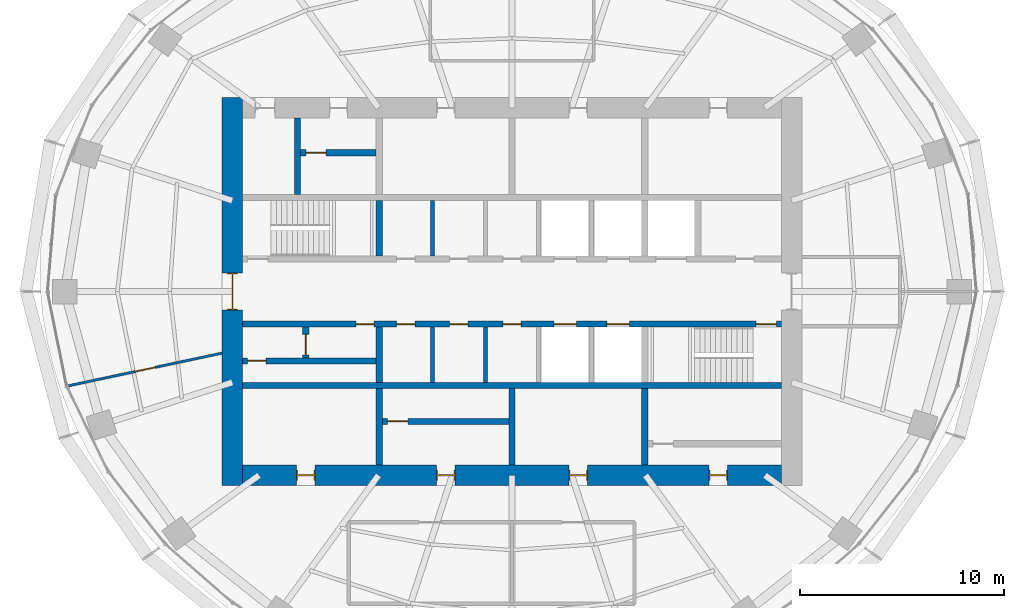
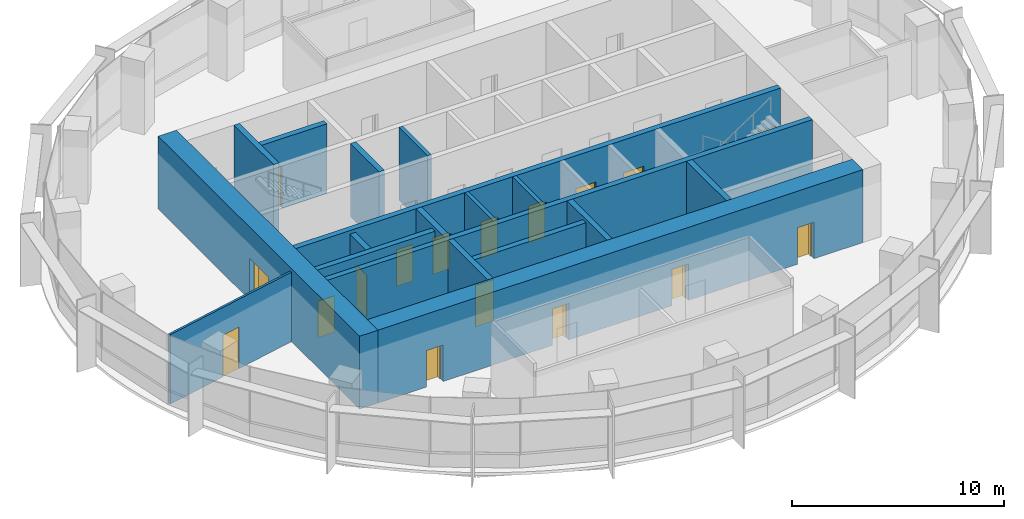
# One storey, part 9 of 13: 18 walls, 17 doors, 17 openings.
"""IFC4 building model written with IfcOpenShell, lengths in metres."""

from ifc_helpers import new_model, si_unit, direction, frame, frame_2d, origin, place, context, subcontext, project, spatial, rectangle, extrude, material, layer, layer_set, type_object, element, fill, save


model = new_model("IFC4")

# Units and contexts
model_context = context("Model", 3, precision=1e-05, world=origin(), true_north=direction((0.0, 1.0)))
body_context = subcontext(model_context, "Body", "Model", "MODEL_VIEW")
ifc_project = project(units=[si_unit("LENGTHUNIT", "METRE"), si_unit("AREAUNIT", "SQUARE_METRE"), si_unit("VOLUMEUNIT", "CUBIC_METRE"), si_unit("PLANEANGLEUNIT", "RADIAN"), si_unit("MASSUNIT", "GRAM", prefix="KILO")], contexts=[model_context])

# Site, building, storey
site_placement = place(None, origin())
site = spatial("IfcSite", under=ifc_project, at=site_placement, CompositionType="ELEMENT")
building_placement = place(site_placement, origin())
building = spatial("IfcBuilding", under=site, at=building_placement, Name="Marramba Exchange Tower", CompositionType="ELEMENT")
storey_placement = place(building_placement, frame((0.0, 0.0, 272.800048828125)))
storey = spatial("IfcBuildingStorey", under=building, at=storey_placement, Name="L66", CompositionType="ELEMENT", Elevation=272.800048828125)

# Walls
ifc_material_1 = material(Name="Concrete N50", Category="concrete")
ifc_layer_1 = layer(ifc_material_1, 0.199951171875)
ifc_layer_set_1 = layer_set([ifc_layer_1], Name="Core shaft wall 200")
wall_type_1 = type_object("IfcWallType", Name="Core shaft wall 200", PredefinedType="SHEAR", material=ifc_layer_set_1)
for number, where, z_axis, x_axis, name in (
    (1, (-3.89990234375, 1.75, 0.0), (0.0, 0.0, 1.0), (0.0, 1.0, 0.0), "Core wall SHN1 L66"),
    (2, (-3.89990234375, -1.75, 0.0), (0.0, 0.0, 1.0), (0.0, -1.0, 0.0), "Core wall SHS1 L66"),
    (3, (-1.300048828125, -1.75, 0.0), (0.0, 0.0, 1.0), (0.0, -1.0, 0.0), "Core wall SHS2 L66"),
):
    element("IfcWall", number, at=place(storey_placement, frame(where, z_axis=z_axis, x_axis=x_axis)), inside=storey, type_object=wall_type_1, Name=name, PredefinedType="SHEAR", context=body_context, shape_type="SweptSolid", body=[
        extrude(rectangle(XDim=2.699951171875, YDim=0.199951171875, at=frame_2d((1.35009765625, 0.0))), origin(), (0.0, 0.0, 1.0), 4.199951171875),
    ])

# Wall, openings, doors
ifc_layer_2 = layer(ifc_material_1, 1.0)
ifc_layer_set_2 = layer_set([ifc_layer_2], Name="Core wall 1000")
wall_type_2 = type_object("IfcWallType", Name="Core wall 1000", PredefinedType="SHEAR", material=ifc_layer_set_2)
wall_1_placement = place(storey_placement, frame((-13.199951171875, -9.0, 0.0), z_axis=(0.0, 0.0, 1.0), x_axis=(1.0, 0.0, 0.0)))
wall_1 = element("IfcWall", 4, at=wall_1_placement, inside=storey, type_object=wall_type_2, Name="Core wall S L66", PredefinedType="SHEAR", context=body_context, shape_type="SweptSolid", body=[
    extrude(rectangle(XDim=26.39990234375, YDim=1.0, at=frame_2d((13.199951171875, 0.0))), origin(), (0.0, 0.0, 1.0), 4.199951171875),
])
opening_1_placement = place(wall_1_placement, frame((2.64990234375, 0.0, 0.0)))
opening_1 = element("IfcOpeningElement", 5, at=opening_1_placement, cuts=wall_1, Name="Opening D5", PredefinedType="OPENING", context=body_context, shape_type="SweptSolid", body=[
    extrude(rectangle(XDim=0.89990234375, YDim=2.10009765625, at=frame_2d((0.449951171875, 1.050048828125))), frame((0.0, 0.510009765625, 0.0), z_axis=(0.0, -1.0, 0.0), x_axis=(1.0, 0.0, 0.0)), (0.0, 0.0, 1.0), 1.02001953125),
])
opening_2_placement = place(wall_1_placement, frame((9.5, 0.0, 0.0)))
opening_2 = element("IfcOpeningElement", 6, at=opening_2_placement, cuts=wall_1, Name="Opening D5", PredefinedType="OPENING", context=body_context, shape_type="SweptSolid", body=[
    extrude(rectangle(XDim=0.89990234375, YDim=2.10009765625, at=frame_2d((0.449951171875, 1.050048828125))), frame((0.0, 0.510009765625, 0.0), z_axis=(0.0, -1.0, 0.0), x_axis=(1.0, 0.0, 0.0)), (0.0, 0.0, 1.0), 1.02001953125),
])
opening_3_placement = place(wall_1_placement, frame((16.0, 0.0, 0.0)))
opening_3 = element("IfcOpeningElement", 7, at=opening_3_placement, cuts=wall_1, Name="Opening D5", PredefinedType="OPENING", context=body_context, shape_type="SweptSolid", body=[
    extrude(rectangle(XDim=0.89990234375, YDim=2.10009765625, at=frame_2d((0.449951171875, 1.050048828125))), frame((0.0, 0.510009765625, 0.0), z_axis=(0.0, -1.0, 0.0), x_axis=(1.0, 0.0, 0.0)), (0.0, 0.0, 1.0), 1.02001953125),
])
opening_4_placement = place(wall_1_placement, frame((22.85009765625, 0.0, 0.0)))
opening_4 = element("IfcOpeningElement", 8, at=opening_4_placement, cuts=wall_1, Name="Opening D5", PredefinedType="OPENING", context=body_context, shape_type="SweptSolid", body=[
    extrude(rectangle(XDim=0.89990234375, YDim=2.10009765625, at=frame_2d((0.449951171875, 1.050048828125))), frame((0.0, 0.510009765625, 0.0), z_axis=(0.0, -1.0, 0.0), x_axis=(1.0, 0.0, 0.0)), (0.0, 0.0, 1.0), 1.02001953125),
])
ifc_material_2 = material(Name="Steel-framed door", Category="steel")
door_type_1 = type_object("IfcDoorType", Name="Service door 900x2100", OperationType="SINGLE_SWING_LEFT", PredefinedType="DOOR", material=ifc_material_2)
door_1_placement = place(opening_1_placement, origin())
door_1 = element("IfcDoor", 9, at=door_1_placement, inside=storey, type_object=door_type_1, Name="D5 ahu L66", OperationType="SINGLE_SWING_LEFT", OverallHeight=2.10009765625, OverallWidth=0.89990234375, PredefinedType="DOOR", context=body_context, shape_type="SweptSolid", body=[
    extrude(rectangle(XDim=0.81982421875, YDim=2.06005859375, at=frame_2d((0.449951171875, 1.030029296875))), frame((0.0, 0.02490234375, 0.0), z_axis=(0.0, -1.0, 0.0), x_axis=(1.0, 0.0, 0.0)), (0.0, 0.0, 1.0), 0.050048828125),
    extrude(rectangle(XDim=0.04, YDim=2.10009765625, at=frame_2d((0.02001953125, 1.050048828125))), frame((0.0, 0.25, 0.0), z_axis=(0.0, -1.0, 0.0), x_axis=(1.0, 0.0, 0.0)), (0.0, 0.0, 1.0), 0.5),
    extrude(rectangle(XDim=0.04, YDim=2.10009765625, at=frame_2d((0.8798828125, 1.050048828125))), frame((0.0, 0.25, 0.0), z_axis=(0.0, -1.0, 0.0), x_axis=(1.0, 0.0, 0.0)), (0.0, 0.0, 1.0), 0.5),
    extrude(rectangle(XDim=0.81982421875, YDim=0.04, at=frame_2d((0.449951171875, 2.080078125))), frame((0.0, 0.25, 0.0), z_axis=(0.0, -1.0, 0.0), x_axis=(1.0, 0.0, 0.0)), (0.0, 0.0, 1.0), 0.5),
])
fill(opening_1, door_1)
door_2_placement = place(opening_2_placement, origin())
door_2 = element("IfcDoor", 10, at=door_2_placement, inside=storey, type_object=door_type_1, Name="D5 store L66", OperationType="SINGLE_SWING_RIGHT", OverallHeight=2.10009765625, OverallWidth=0.89990234375, PredefinedType="DOOR", context=body_context, shape_type="SweptSolid", body=[
    extrude(rectangle(XDim=0.81982421875, YDim=2.06005859375, at=frame_2d((0.449951171875, 1.030029296875))), frame((0.0, 0.02490234375, 0.0), z_axis=(0.0, -1.0, 0.0), x_axis=(1.0, 0.0, 0.0)), (0.0, 0.0, 1.0), 0.050048828125),
    extrude(rectangle(XDim=0.04, YDim=2.10009765625, at=frame_2d((0.02001953125, 1.050048828125))), frame((0.0, 0.25, 0.0), z_axis=(0.0, -1.0, 0.0), x_axis=(1.0, 0.0, 0.0)), (0.0, 0.0, 1.0), 0.5),
    extrude(rectangle(XDim=0.04, YDim=2.10009765625, at=frame_2d((0.8798828125, 1.050048828125))), frame((0.0, 0.25, 0.0), z_axis=(0.0, -1.0, 0.0), x_axis=(1.0, 0.0, 0.0)), (0.0, 0.0, 1.0), 0.5),
    extrude(rectangle(XDim=0.81982421875, YDim=0.04, at=frame_2d((0.449951171875, 2.080078125))), frame((0.0, 0.25, 0.0), z_axis=(0.0, -1.0, 0.0), x_axis=(1.0, 0.0, 0.0)), (0.0, 0.0, 1.0), 0.5),
])
fill(opening_2, door_2)
door_3_placement = place(opening_3_placement, origin())
door_3 = element("IfcDoor", 11, at=door_3_placement, inside=storey, type_object=door_type_1, Name="D5 switch L66", OperationType="SINGLE_SWING_RIGHT", OverallHeight=2.10009765625, OverallWidth=0.89990234375, PredefinedType="DOOR", context=body_context, shape_type="SweptSolid", body=[
    extrude(rectangle(XDim=0.81982421875, YDim=2.06005859375, at=frame_2d((0.449951171875, 1.030029296875))), frame((0.0, 0.02490234375, 0.0), z_axis=(0.0, -1.0, 0.0), x_axis=(1.0, 0.0, 0.0)), (0.0, 0.0, 1.0), 0.050048828125),
    extrude(rectangle(XDim=0.04, YDim=2.10009765625, at=frame_2d((0.02001953125, 1.050048828125))), frame((0.0, 0.25, 0.0), z_axis=(0.0, -1.0, 0.0), x_axis=(1.0, 0.0, 0.0)), (0.0, 0.0, 1.0), 0.5),
    extrude(rectangle(XDim=0.04, YDim=2.10009765625, at=frame_2d((0.8798828125, 1.050048828125))), frame((0.0, 0.25, 0.0), z_axis=(0.0, -1.0, 0.0), x_axis=(1.0, 0.0, 0.0)), (0.0, 0.0, 1.0), 0.5),
    extrude(rectangle(XDim=0.81982421875, YDim=0.04, at=frame_2d((0.449951171875, 2.080078125))), frame((0.0, 0.25, 0.0), z_axis=(0.0, -1.0, 0.0), x_axis=(1.0, 0.0, 0.0)), (0.0, 0.0, 1.0), 0.5),
])
fill(opening_3, door_3)
door_4_placement = place(opening_4_placement, origin())
door_4 = element("IfcDoor", 12, at=door_4_placement, inside=storey, type_object=door_type_1, Name="D5 cstore L66", OperationType="SINGLE_SWING_RIGHT", OverallHeight=2.10009765625, OverallWidth=0.89990234375, PredefinedType="DOOR", context=body_context, shape_type="SweptSolid", body=[
    extrude(rectangle(XDim=0.81982421875, YDim=2.06005859375, at=frame_2d((0.449951171875, 1.030029296875))), frame((0.0, 0.02490234375, 0.0), z_axis=(0.0, -1.0, 0.0), x_axis=(1.0, 0.0, 0.0)), (0.0, 0.0, 1.0), 0.050048828125),
    extrude(rectangle(XDim=0.04, YDim=2.10009765625, at=frame_2d((0.02001953125, 1.050048828125))), frame((0.0, 0.25, 0.0), z_axis=(0.0, -1.0, 0.0), x_axis=(1.0, 0.0, 0.0)), (0.0, 0.0, 1.0), 0.5),
    extrude(rectangle(XDim=0.04, YDim=2.10009765625, at=frame_2d((0.8798828125, 1.050048828125))), frame((0.0, 0.25, 0.0), z_axis=(0.0, -1.0, 0.0), x_axis=(1.0, 0.0, 0.0)), (0.0, 0.0, 1.0), 0.5),
    extrude(rectangle(XDim=0.81982421875, YDim=0.04, at=frame_2d((0.449951171875, 2.080078125))), frame((0.0, 0.25, 0.0), z_axis=(0.0, -1.0, 0.0), x_axis=(1.0, 0.0, 0.0)), (0.0, 0.0, 1.0), 0.5),
])
fill(opening_4, door_4)

# Wall, opening, door
wall_2_placement = place(storey_placement, frame((-13.699951171875, 9.5, 0.0), z_axis=(0.0, 0.0, 1.0), x_axis=(0.0, -1.0, 0.0)))
wall_2 = element("IfcWall", 13, at=wall_2_placement, inside=storey, type_object=wall_type_2, Name="Core wall W L66", PredefinedType="SHEAR", context=body_context, shape_type="SweptSolid", body=[
    extrude(rectangle(XDim=19.0, YDim=1.0, at=frame_2d((9.5, 0.0))), origin(), (0.0, 0.0, 1.0), 4.199951171875),
])
opening_5_placement = place(wall_2_placement, frame((8.60009765625, 0.0, 0.0)))
opening_5 = element("IfcOpeningElement", 14, at=opening_5_placement, cuts=wall_2, Name="Opening D1", PredefinedType="OPENING", context=body_context, shape_type="SweptSolid", body=[
    extrude(rectangle(XDim=1.800048828125, YDim=2.39990234375, at=frame_2d((0.89990234375, 1.199951171875))), frame((0.0, 0.510009765625, 0.0), z_axis=(0.0, -1.0, 0.0), x_axis=(1.0, 0.0, 0.0)), (0.0, 0.0, 1.0), 1.02001953125),
])
door_type_2 = type_object("IfcDoorType", Name="Lobby exit door 1800x2400", OperationType="DOUBLE_DOOR_SINGLE_SWING", PredefinedType="DOOR", material=ifc_material_2)
door_5_placement = place(opening_5_placement, origin())
door_5 = element("IfcDoor", 15, at=door_5_placement, inside=storey, type_object=door_type_2, Name="D1 lobby exit west L66", OperationType="DOUBLE_DOOR_SINGLE_SWING", OverallHeight=2.39990234375, OverallWidth=1.800048828125, PredefinedType="DOOR", context=body_context, shape_type="SweptSolid", body=[
    extrude(rectangle(XDim=1.719970703125, YDim=2.35986328125, at=frame_2d((0.89990234375, 1.179931640625))), frame((0.0, 0.02490234375, 0.0), z_axis=(0.0, -1.0, 0.0), x_axis=(1.0, 0.0, 0.0)), (0.0, 0.0, 1.0), 0.050048828125),
    extrude(rectangle(XDim=0.04, YDim=2.39990234375, at=frame_2d((0.02001953125, 1.199951171875))), frame((0.0, 0.25, 0.0), z_axis=(0.0, -1.0, 0.0), x_axis=(1.0, 0.0, 0.0)), (0.0, 0.0, 1.0), 0.5),
    extrude(rectangle(XDim=0.04, YDim=2.39990234375, at=frame_2d((1.780029296875, 1.199951171875))), frame((0.0, 0.25, 0.0), z_axis=(0.0, -1.0, 0.0), x_axis=(1.0, 0.0, 0.0)), (0.0, 0.0, 1.0), 0.5),
    extrude(rectangle(XDim=1.719970703125, YDim=0.04, at=frame_2d((0.89990234375, 2.3798828125))), frame((0.0, 0.25, 0.0), z_axis=(0.0, -1.0, 0.0), x_axis=(1.0, 0.0, 0.0)), (0.0, 0.0, 1.0), 0.5),
])
fill(opening_5, door_5)

# Wall, openings, doors
ifc_layer_3 = layer(ifc_material_1, 0.300048828125)
ifc_layer_set_3 = layer_set([ifc_layer_3], Name="Core wall 300")
wall_type_3 = type_object("IfcWallType", Name="Core wall 300", PredefinedType="SHEAR", material=ifc_layer_set_3)
wall_3_placement = place(storey_placement, frame((-13.199951171875, -1.60009765625, 0.0), z_axis=(0.0, 0.0, 1.0), x_axis=(1.0, 0.0, 0.0)))
wall_3 = element("IfcWall", 16, at=wall_3_placement, inside=storey, type_object=wall_type_3, Name="Core wall LS L66", PredefinedType="SHEAR", context=body_context, shape_type="SweptSolid", body=[
    extrude(rectangle(XDim=26.39990234375, YDim=0.300048828125, at=frame_2d((13.199951171875, 0.0))), origin(), (0.0, 0.0, 1.0), 4.199951171875),
])
opening_6_placement = place(wall_3_placement, frame((25.14990234375, 0.0, 0.0)))
opening_6 = element("IfcOpeningElement", 17, at=opening_6_placement, cuts=wall_3, Name="Opening D2", PredefinedType="OPENING", context=body_context, shape_type="SweptSolid", body=[
    extrude(rectangle(XDim=1.0, YDim=2.10009765625, at=frame_2d((0.5, 1.050048828125))), frame((0.0, 0.159912109375, 0.0), z_axis=(0.0, -1.0, 0.0), x_axis=(1.0, 0.0, 0.0)), (0.0, 0.0, 1.0), 0.320068359375),
])
opening_7_placement = place(wall_3_placement, frame((7.550048828125, 0.0, 0.0)))
opening_7 = element("IfcOpeningElement", 18, at=opening_7_placement, cuts=wall_3, Name="Opening D5", PredefinedType="OPENING", context=body_context, shape_type="SweptSolid", body=[
    extrude(rectangle(XDim=0.89990234375, YDim=2.10009765625, at=frame_2d((0.449951171875, 1.050048828125))), frame((0.0, 0.159912109375, 0.0), z_axis=(0.0, -1.0, 0.0), x_axis=(1.0, 0.0, 0.0)), (0.0, 0.0, 1.0), 0.320068359375),
])
opening_8_placement = place(wall_3_placement, frame((10.14990234375, 0.0, 0.0)))
opening_8 = element("IfcOpeningElement", 19, at=opening_8_placement, cuts=wall_3, Name="Opening D5", PredefinedType="OPENING", context=body_context, shape_type="SweptSolid", body=[
    extrude(rectangle(XDim=0.89990234375, YDim=2.10009765625, at=frame_2d((0.449951171875, 1.050048828125))), frame((0.0, 0.159912109375, 0.0), z_axis=(0.0, -1.0, 0.0), x_axis=(1.0, 0.0, 0.0)), (0.0, 0.0, 1.0), 0.320068359375),
])
opening_9_placement = place(wall_3_placement, frame((12.75, 0.0, 0.0)))
opening_9 = element("IfcOpeningElement", 20, at=opening_9_placement, cuts=wall_3, Name="Opening D5", PredefinedType="OPENING", context=body_context, shape_type="SweptSolid", body=[
    extrude(rectangle(XDim=0.89990234375, YDim=2.10009765625, at=frame_2d((0.449951171875, 1.050048828125))), frame((0.0, 0.159912109375, 0.0), z_axis=(0.0, -1.0, 0.0), x_axis=(1.0, 0.0, 0.0)), (0.0, 0.0, 1.0), 0.320068359375),
])
opening_10_placement = place(wall_3_placement, frame((15.25, 0.0, 0.0)))
opening_10 = element("IfcOpeningElement", 21, at=opening_10_placement, cuts=wall_3, Name="Opening LD2", PredefinedType="OPENING", context=body_context, shape_type="SweptSolid", body=[
    extrude(rectangle(XDim=1.10009765625, YDim=2.300048828125, at=frame_2d((0.550048828125, 1.14990234375))), frame((0.0, 0.159912109375, 0.0), z_axis=(0.0, -1.0, 0.0), x_axis=(1.0, 0.0, 0.0)), (0.0, 0.0, 1.0), 0.320068359375),
])
opening_11_placement = place(wall_3_placement, frame((17.85009765625, 0.0, 0.0)))
opening_11 = element("IfcOpeningElement", 22, at=opening_11_placement, cuts=wall_3, Name="Opening LD2", PredefinedType="OPENING", context=body_context, shape_type="SweptSolid", body=[
    extrude(rectangle(XDim=1.10009765625, YDim=2.300048828125, at=frame_2d((0.550048828125, 1.14990234375))), frame((0.0, 0.159912109375, 0.0), z_axis=(0.0, -1.0, 0.0), x_axis=(1.0, 0.0, 0.0)), (0.0, 0.0, 1.0), 0.320068359375),
])
opening_12_placement = place(wall_3_placement, frame((5.550048828125, 0.0, 0.0)))
opening_12 = element("IfcOpeningElement", 23, at=opening_12_placement, cuts=wall_3, Name="Opening D5", PredefinedType="OPENING", context=body_context, shape_type="SweptSolid", body=[
    extrude(rectangle(XDim=0.89990234375, YDim=2.10009765625, at=frame_2d((0.449951171875, 1.050048828125))), frame((0.0, 0.159912109375, 0.0), z_axis=(0.0, -1.0, 0.0), x_axis=(1.0, 0.0, 0.0)), (0.0, 0.0, 1.0), 0.320068359375),
])
door_type_3 = type_object("IfcDoorType", Name="Emergency lift landing door 1100x2300", OperationType="SLIDING_TO_LEFT", PredefinedType="DOOR", material=ifc_material_2)
door_6_placement = place(opening_10_placement, frame((1.10009765625, 0.0, 0.0), z_axis=(0.0, 0.0, 1.0), x_axis=(-1.0, 0.0, 0.0)))
door_6 = element("IfcDoor", 24, at=door_6_placement, inside=storey, type_object=door_type_3, Name="FL1 landing door L66", OperationType="SLIDING_TO_RIGHT", OverallHeight=2.300048828125, OverallWidth=1.10009765625, PredefinedType="DOOR", context=body_context, shape_type="SweptSolid", body=[
    extrude(rectangle(XDim=1.10009765625, YDim=2.300048828125, at=frame_2d((0.550048828125, 1.14990234375))), frame((0.0, 0.025146484375, 0.0), z_axis=(0.0, -1.0, 0.0), x_axis=(1.0, 0.0, 0.0)), (0.0, 0.0, 1.0), 0.050048828125),
])
fill(opening_10, door_6)
door_7_placement = place(opening_11_placement, frame((1.10009765625, 0.0, 0.0), z_axis=(0.0, 0.0, 1.0), x_axis=(-1.0, 0.0, 0.0)))
door_7 = element("IfcDoor", 25, at=door_7_placement, inside=storey, type_object=door_type_3, Name="FL2 landing door L66", OperationType="SLIDING_TO_LEFT", OverallHeight=2.300048828125, OverallWidth=1.10009765625, PredefinedType="DOOR", context=body_context, shape_type="SweptSolid", body=[
    extrude(rectangle(XDim=1.10009765625, YDim=2.300048828125, at=frame_2d((0.550048828125, 1.14990234375))), frame((0.0, 0.025146484375, 0.0), z_axis=(0.0, -1.0, 0.0), x_axis=(1.0, 0.0, 0.0)), (0.0, 0.0, 1.0), 0.050048828125),
])
fill(opening_11, door_7)
door_8_placement = place(opening_7_placement, frame((0.89990234375, 0.0, 0.0), z_axis=(0.0, 0.0, 1.0), x_axis=(-1.0, 0.0, 0.0)))
door_8 = element("IfcDoor", 26, at=door_8_placement, inside=storey, type_object=door_type_1, Name="D5 waste room L66", OperationType="SINGLE_SWING_RIGHT", OverallHeight=2.10009765625, OverallWidth=0.89990234375, PredefinedType="DOOR", context=body_context, shape_type="SweptSolid", body=[
    extrude(rectangle(XDim=0.89990234375, YDim=2.10009765625, at=frame_2d((0.449951171875, 1.050048828125))), frame((0.0, 0.025146484375, 0.0), z_axis=(0.0, -1.0, 0.0), x_axis=(1.0, 0.0, 0.0)), (0.0, 0.0, 1.0), 0.050048828125),
])
fill(opening_7, door_8)
door_9_placement = place(opening_8_placement, frame((0.89990234375, 0.0, 0.0), z_axis=(0.0, 0.0, 1.0), x_axis=(-1.0, 0.0, 0.0)))
door_9 = element("IfcDoor", 27, at=door_9_placement, inside=storey, type_object=door_type_1, Name="D5 general store L66", OperationType="SINGLE_SWING_RIGHT", OverallHeight=2.10009765625, OverallWidth=0.89990234375, PredefinedType="DOOR", context=body_context, shape_type="SweptSolid", body=[
    extrude(rectangle(XDim=0.89990234375, YDim=2.10009765625, at=frame_2d((0.449951171875, 1.050048828125))), frame((0.0, 0.025146484375, 0.0), z_axis=(0.0, -1.0, 0.0), x_axis=(1.0, 0.0, 0.0)), (0.0, 0.0, 1.0), 0.050048828125),
])
fill(opening_8, door_9)
door_10_placement = place(opening_9_placement, frame((0.89990234375, 0.0, 0.0), z_axis=(0.0, 0.0, 1.0), x_axis=(-1.0, 0.0, 0.0)))
door_10 = element("IfcDoor", 28, at=door_10_placement, inside=storey, type_object=door_type_1, Name="D5 linen store n1 L66", OperationType="SINGLE_SWING_RIGHT", OverallHeight=2.10009765625, OverallWidth=0.89990234375, PredefinedType="DOOR", context=body_context, shape_type="SweptSolid", body=[
    extrude(rectangle(XDim=0.89990234375, YDim=2.10009765625, at=frame_2d((0.449951171875, 1.050048828125))), frame((0.0, 0.025146484375, 0.0), z_axis=(0.0, -1.0, 0.0), x_axis=(1.0, 0.0, 0.0)), (0.0, 0.0, 1.0), 0.050048828125),
])
fill(opening_9, door_10)
door_11_placement = place(opening_12_placement, frame((0.89990234375, 0.0, 0.0), z_axis=(0.0, 0.0, 1.0), x_axis=(-1.0, 0.0, 0.0)))
door_11 = element("IfcDoor", 29, at=door_11_placement, inside=storey, type_object=door_type_1, Name="D5 electrical riser L66", OperationType="SINGLE_SWING_LEFT", OverallHeight=2.10009765625, OverallWidth=0.89990234375, PredefinedType="DOOR", context=body_context, shape_type="SweptSolid", body=[
    extrude(rectangle(XDim=0.89990234375, YDim=2.10009765625, at=frame_2d((0.449951171875, 1.050048828125))), frame((0.0, 0.025146484375, 0.0), z_axis=(0.0, -1.0, 0.0), x_axis=(1.0, 0.0, 0.0)), (0.0, 0.0, 1.0), 0.050048828125),
])
fill(opening_12, door_11)
door_type_4 = type_object("IfcDoorType", Name="Stair door 1000x2100", OperationType="SINGLE_SWING_LEFT", PredefinedType="DOOR", material=ifc_material_2)
door_12_placement = place(opening_6_placement, frame((1.0, 0.0, 0.0), z_axis=(0.0, 0.0, 1.0), x_axis=(-1.0, 0.0, 0.0)))
door_12 = element("IfcDoor", 30, at=door_12_placement, inside=storey, type_object=door_type_4, Name="D2 stair ST2 L66", OperationType="SINGLE_SWING_LEFT", OverallHeight=2.10009765625, OverallWidth=1.0, PredefinedType="DOOR", context=body_context, shape_type="SweptSolid", body=[
    extrude(rectangle(XDim=1.0, YDim=2.10009765625, at=frame_2d((0.5, 1.050048828125))), frame((0.0, 0.025146484375, 0.0), z_axis=(0.0, -1.0, 0.0), x_axis=(1.0, 0.0, 0.0)), (0.0, 0.0, 1.0), 0.050048828125),
])
fill(opening_6, door_12)

# Walls
wall_4_placement = place(storey_placement, frame((-13.199951171875, -4.60009765625, 0.0), z_axis=(0.0, 0.0, 1.0), x_axis=(1.0, 0.0, 0.0)))
element("IfcWall", 31, at=wall_4_placement, inside=storey, type_object=wall_type_3, Name="Core wall BS L66", PredefinedType="SHEAR", context=body_context, shape_type="SweptSolid", body=[
    extrude(rectangle(XDim=26.39990234375, YDim=0.300048828125, at=frame_2d((13.199951171875, 0.0))), origin(), (0.0, 0.0, 1.0), 4.199951171875),
])
for number, where, z_axis, x_axis, name in (
    (32, (-6.5, 1.75, 0.0), (0.0, 0.0, 1.0), (0.0, 1.0, 0.0), "Core wall X0Na L66"),
    (33, (-6.5, -1.75, 0.0), (0.0, 0.0, 1.0), (0.0, -1.0, 0.0), "Core wall X0Sa L66"),
):
    element("IfcWall", number, at=place(storey_placement, frame(where, z_axis=z_axis, x_axis=x_axis)), inside=storey, type_object=wall_type_3, Name=name, PredefinedType="SHEAR", context=body_context, shape_type="SweptSolid", body=[
        extrude(rectangle(XDim=2.699951171875, YDim=0.300048828125, at=frame_2d((1.35009765625, 0.0))), origin(), (0.0, 0.0, 1.0), 4.199951171875),
    ])
for number, where, z_axis, x_axis, name in (
    (34, (-6.5, -4.75, 0.0), (0.0, 0.0, 1.0), (0.0, -1.0, 0.0), "Core wall X0Sb L66"),
    (35, (6.5, -4.75, 0.0), (0.0, 0.0, 1.0), (0.0, -1.0, 0.0), "Core wall X1Sb L66"),
    (36, (0.0, -4.75, 0.0), (0.0, 0.0, 1.0), (0.0, -1.0, 0.0), "Core wall MS L66"),
    (37, (-10.5, 4.75, 0.0), (0.0, 0.0, 1.0), (0.0, 1.0, 0.0), "Core wall WD L66"),
):
    element("IfcWall", number, at=place(storey_placement, frame(where, z_axis=z_axis, x_axis=x_axis)), inside=storey, type_object=wall_type_3, Name=name, PredefinedType="SHEAR", context=body_context, shape_type="SweptSolid", body=[
        extrude(rectangle(XDim=3.75, YDim=0.300048828125, at=frame_2d((1.875, 0.0))), origin(), (0.0, 0.0, 1.0), 4.199951171875),
    ])

# Wall, opening, door
ifc_material_3 = material(Name="Plasterboard on steel studs", Category="steel")
ifc_layer_4 = layer(ifc_material_3, 0.1201171875)
ifc_layer_set_4 = layer_set([ifc_layer_4], Name="Partition 120")
wall_type_4 = type_object("IfcWallType", Name="Partition 120", PredefinedType="PARTITIONING", material=ifc_layer_set_4)
wall_5_placement = place(storey_placement, frame((-14.199951171875, -3.018310546875, 0.0), z_axis=(0.0, 0.0, 1.0), x_axis=(-0.978146528585, -0.207916734818, 0.0)))
wall_5 = element("IfcWall", 38, at=wall_5_placement, inside=storey, type_object=wall_type_4, Name="Partition L66 01", PredefinedType="PARTITIONING", context=body_context, shape_type="SweptSolid", body=[
    extrude(rectangle(XDim=7.705322265625, YDim=0.1201171875, at=frame_2d((3.8525390625, 0.0))), origin(), (0.0, 0.0, 1.0), 4.0),
])
opening_13_placement = place(wall_5_placement, frame((3.35302734375, 0.0, 0.0)))
opening_13 = element("IfcOpeningElement", 39, at=opening_13_placement, cuts=wall_5, Name="Opening D9", PredefinedType="OPENING", context=body_context, shape_type="SweptSolid", body=[
    extrude(rectangle(XDim=1.0, YDim=2.39990234375, at=frame_2d((0.5, 1.199951171875))), frame((0.0, 0.070068359375, 0.0), z_axis=(0.0, -1.0, 0.0), x_axis=(1.0, 0.0, 0.0)), (0.0, 0.0, 1.0), 0.14013671875),
])
ifc_material_4 = material(Name="Timber door", Category="wood")
door_type_5 = type_object("IfcDoorType", Name="Room door 1000x2400", OperationType="SINGLE_SWING_LEFT", PredefinedType="DOOR", material=ifc_material_4)
door_13_placement = place(opening_13_placement, origin())
door_13 = element("IfcDoor", 40, at=door_13_placement, inside=storey, type_object=door_type_5, Name="D9 Executive Lounge L66", OperationType="SINGLE_SWING_RIGHT", OverallHeight=2.39990234375, OverallWidth=1.0, PredefinedType="DOOR", context=body_context, shape_type="SweptSolid", body=[
    extrude(rectangle(XDim=1.0, YDim=2.39990234375, at=frame_2d((0.5, 1.199951171875))), frame((0.0, 0.02490234375, 0.0), z_axis=(0.0, -1.0, 0.0), x_axis=(1.0, 0.0, 0.0)), (0.0, 0.0, 1.0), 0.050048828125),
])
fill(opening_13, door_13)

ifc_material_5 = material(Name="Core-filled concrete blockwork", Category="masonry")
ifc_layer_5 = layer(ifc_material_5, 0.300048828125)
ifc_layer_set_5 = layer_set([ifc_layer_5], Name="Riser enclosure wall 300")
wall_type_5 = type_object("IfcWallType", Name="Riser enclosure wall 300", PredefinedType="SOLIDWALL", material=ifc_layer_set_5)
wall_6_placement = place(storey_placement, frame((-13.199951171875, -3.39990234375, 0.0), z_axis=(0.0, 0.0, 1.0), x_axis=(1.0, 0.0, 0.0)))
wall_6 = element("IfcWall", 41, at=wall_6_placement, inside=storey, type_object=wall_type_5, Name="Riser enclosure wall L66", PredefinedType="SOLIDWALL", context=body_context, shape_type="SweptSolid", body=[
    extrude(rectangle(XDim=6.550048828125, YDim=0.300048828125, at=frame_2d((3.27490234375, 0.0))), origin(), (0.0, 0.0, 1.0), 4.0),
])
opening_14_placement = place(wall_6_placement, frame((0.25, 0.0, 0.0)))
opening_14 = element("IfcOpeningElement", 42, at=opening_14_placement, cuts=wall_6, Name="Opening D5", PredefinedType="OPENING", context=body_context, shape_type="SweptSolid", body=[
    extrude(rectangle(XDim=0.89990234375, YDim=2.10009765625, at=frame_2d((0.449951171875, 1.050048828125))), frame((0.0, 0.159912109375, 0.0), z_axis=(0.0, -1.0, 0.0), x_axis=(1.0, 0.0, 0.0)), (0.0, 0.0, 1.0), 0.320068359375),
])
door_14_placement = place(opening_14_placement, origin())
door_14 = element("IfcDoor", 43, at=door_14_placement, inside=storey, type_object=door_type_1, Name="D5 electrical riser back L66", OperationType="SINGLE_SWING_LEFT", OverallHeight=2.10009765625, OverallWidth=0.89990234375, PredefinedType="DOOR", context=body_context, shape_type="SweptSolid", body=[
    extrude(rectangle(XDim=0.89990234375, YDim=2.10009765625, at=frame_2d((0.449951171875, 1.050048828125))), frame((0.0, 0.02490234375, 0.0), z_axis=(0.0, -1.0, 0.0), x_axis=(1.0, 0.0, 0.0)), (0.0, 0.0, 1.0), 0.050048828125),
])
fill(opening_14, door_14)

ifc_material_6 = material(Name="Plasterboard on steel studs, insulated, unrated", Category="steel")
ifc_layer_6 = layer(ifc_material_6, 0.300048828125)
ifc_layer_set_6 = layer_set([ifc_layer_6], Name="Store partition 300")
wall_type_6 = type_object("IfcWallType", Name="Store partition 300", PredefinedType="PARTITIONING", material=ifc_layer_set_6)
wall_7_placement = place(storey_placement, frame((-10.35009765625, 6.800048828125, 0.0), z_axis=(0.0, 0.0, 1.0), x_axis=(1.0, 0.0, 0.0)))
wall_7 = element("IfcWall", 44, at=wall_7_placement, inside=storey, type_object=wall_type_6, Name="Store partition L66 cleaner", PredefinedType="PARTITIONING", context=body_context, shape_type="SweptSolid", body=[
    extrude(rectangle(XDim=3.7001953125, YDim=0.300048828125, at=frame_2d((1.85009765625, 0.0))), origin(), (0.0, 0.0, 1.0), 4.0),
])
opening_15_placement = place(wall_7_placement, frame((0.25, 0.0, 0.0)))
opening_15 = element("IfcOpeningElement", 45, at=opening_15_placement, cuts=wall_7, Name="Opening D9", PredefinedType="OPENING", context=body_context, shape_type="SweptSolid", body=[
    extrude(rectangle(XDim=1.0, YDim=2.39990234375, at=frame_2d((0.5, 1.199951171875))), frame((0.0, 0.159912109375, 0.0), z_axis=(0.0, -1.0, 0.0), x_axis=(1.0, 0.0, 0.0)), (0.0, 0.0, 1.0), 0.320068359375),
])
door_15_placement = place(opening_15_placement, origin())
door_15 = element("IfcDoor", 46, at=door_15_placement, inside=storey, type_object=door_type_5, Name="D9 cleaning store L66", OperationType="SINGLE_SWING_LEFT", OverallHeight=2.39990234375, OverallWidth=1.0, PredefinedType="DOOR", context=body_context, shape_type="SweptSolid", body=[
    extrude(rectangle(XDim=1.0, YDim=2.39990234375, at=frame_2d((0.5, 1.199951171875))), frame((0.0, 0.02490234375, 0.0), z_axis=(0.0, -1.0, 0.0), x_axis=(1.0, 0.0, 0.0)), (0.0, 0.0, 1.0), 0.050048828125),
])
fill(opening_15, door_15)

wall_8_placement = place(storey_placement, frame((-6.35009765625, -6.360107421875, 0.0), z_axis=(0.0, 0.0, 1.0), x_axis=(1.0, 0.0, 0.0)))
wall_8 = element("IfcWall", 47, at=wall_8_placement, inside=storey, type_object=wall_type_6, Name="Store partition L66 store", PredefinedType="PARTITIONING", context=body_context, shape_type="SweptSolid", body=[
    extrude(rectangle(XDim=6.2001953125, YDim=0.300048828125, at=frame_2d((3.10009765625, 0.0))), origin(), (0.0, 0.0, 1.0), 4.0),
])
opening_16_placement = place(wall_8_placement, frame((0.25, 0.0, 0.0)))
opening_16 = element("IfcOpeningElement", 48, at=opening_16_placement, cuts=wall_8, Name="Opening D9", PredefinedType="OPENING", context=body_context, shape_type="SweptSolid", body=[
    extrude(rectangle(XDim=1.0, YDim=2.39990234375, at=frame_2d((0.5, 1.199951171875))), frame((0.0, 0.159912109375, 0.0), z_axis=(0.0, -1.0, 0.0), x_axis=(1.0, 0.0, 0.0)), (0.0, 0.0, 1.0), 0.320068359375),
])
door_16_placement = place(opening_16_placement, origin())
door_16 = element("IfcDoor", 49, at=door_16_placement, inside=storey, type_object=door_type_5, Name="D9 stationery store L66", OperationType="SINGLE_SWING_LEFT", OverallHeight=2.39990234375, OverallWidth=1.0, PredefinedType="DOOR", context=body_context, shape_type="SweptSolid", body=[
    extrude(rectangle(XDim=1.0, YDim=2.39990234375, at=frame_2d((0.5, 1.199951171875))), frame((0.0, 0.02490234375, 0.0), z_axis=(0.0, -1.0, 0.0), x_axis=(1.0, 0.0, 0.0)), (0.0, 0.0, 1.0), 0.050048828125),
])
fill(opening_16, door_16)

wall_9_placement = place(storey_placement, frame((-10.10009765625, -3.25, 0.0), z_axis=(0.0, 0.0, 1.0), x_axis=(0.0, 1.0, 0.0)))
wall_9 = element("IfcWall", 50, at=wall_9_placement, inside=storey, type_object=wall_type_6, Name="Store partition L66 tool store", PredefinedType="PARTITIONING", context=body_context, shape_type="SweptSolid", body=[
    extrude(rectangle(XDim=1.5, YDim=0.300048828125, at=frame_2d((0.75, 0.0))), origin(), (0.0, 0.0, 1.0), 4.0),
])
opening_17_placement = place(wall_9_placement, frame((0.14990234375, 0.0, 0.0)))
opening_17 = element("IfcOpeningElement", 51, at=opening_17_placement, cuts=wall_9, Name="Opening D9", PredefinedType="OPENING", context=body_context, shape_type="SweptSolid", body=[
    extrude(rectangle(XDim=1.0, YDim=2.39990234375, at=frame_2d((0.5, 1.199951171875))), frame((0.0, 0.159912109375, 0.0), z_axis=(0.0, -1.0, 0.0), x_axis=(1.0, 0.0, 0.0)), (0.0, 0.0, 1.0), 0.320068359375),
])
door_17_placement = place(opening_17_placement, origin())
door_17 = element("IfcDoor", 52, at=door_17_placement, inside=storey, type_object=door_type_5, Name="D9 tool store L66", OperationType="SINGLE_SWING_LEFT", OverallHeight=2.39990234375, OverallWidth=1.0, PredefinedType="DOOR", context=body_context, shape_type="SweptSolid", body=[
    extrude(rectangle(XDim=1.0, YDim=2.39990234375, at=frame_2d((0.5, 1.199951171875))), frame((0.0, 0.02490234375, 0.0), z_axis=(0.0, -1.0, 0.0), x_axis=(1.0, 0.0, 0.0)), (0.0, 0.0, 1.0), 0.050048828125),
])
fill(opening_17, door_17)

save(model, "model.ifc")
